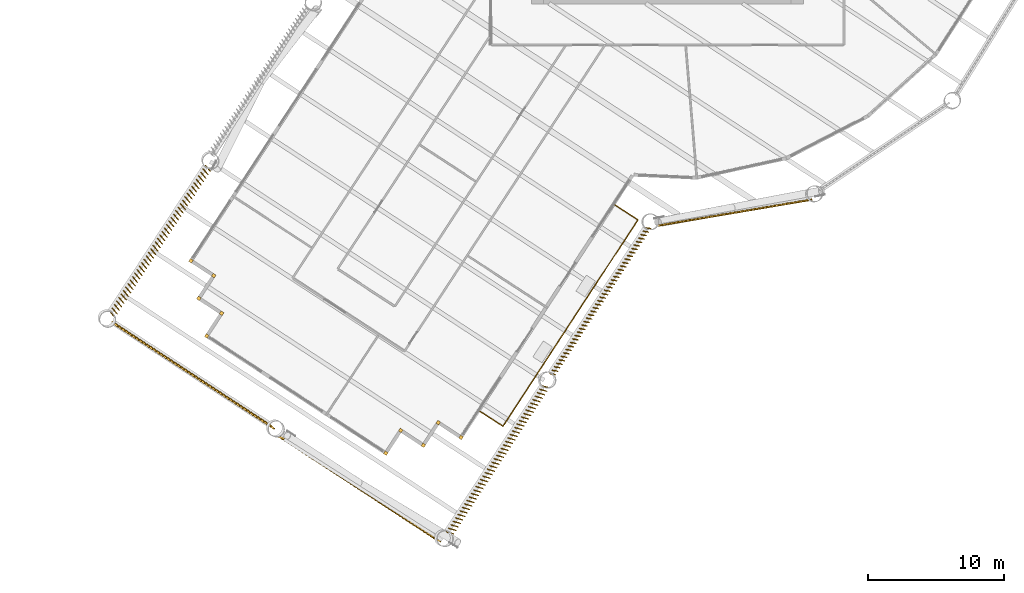
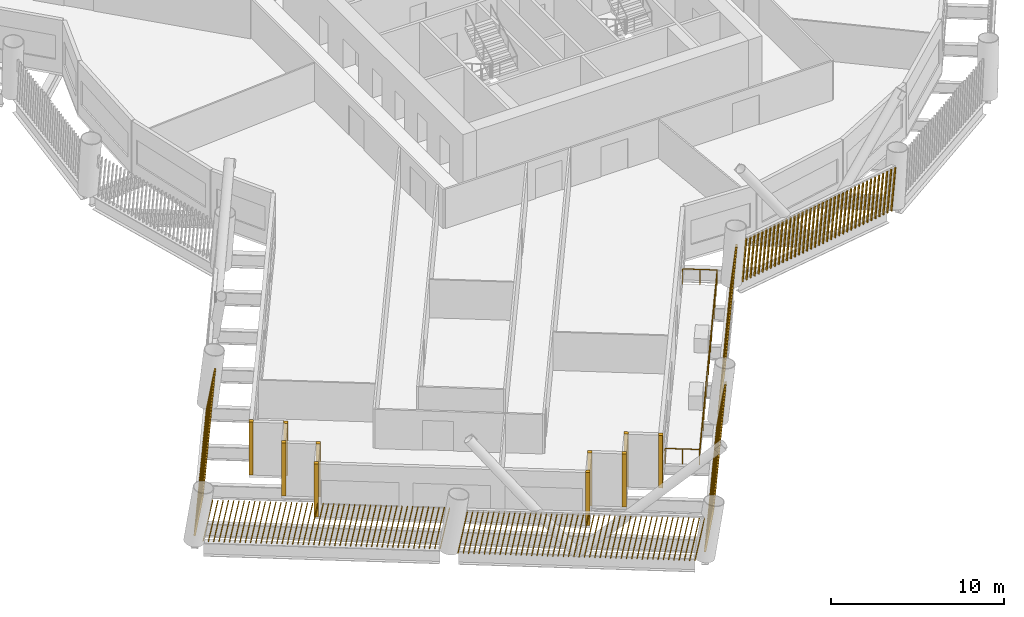
# One storey, part 18 of 22: 16 shading devices, 1 railing.
"""IFC4 building model written with IfcOpenShell, lengths in metres."""

import ifcopenshell
import ifcopenshell.guid

model = None  # the IFC model being written
_history = None  # IfcOwnerHistory: only IFC2X3 demands one
_inside = {}  # id of a spatial element -> (the spatial element, [elements in it])
_under = {}  # id of a project, library or spatial element -> (it, [spatial elements below it])
_declared = {}  # id of a project -> (the project, [libraries it declares])
_typed = {}  # id of a type object -> (the type object, [elements of that type])
_made_of = {}  # id of a material, layer set ... -> (it, [elements and type objects made of it])


def new_model(schema):
    """Start an empty IFC model of exactly this schema.

    Asked for "IFC4X3", IfcOpenShell would pick the latest addendum, in which some entities
    have other attributes; the version numbers below select the first issue.
    IFC2X3 requires an IfcOwnerHistory on every rooted entity: one is made here for all.
    """
    global model, _history
    if schema == "IFC4X3":
        model = ifcopenshell.file(schema_version=(4, 3, 0, 0))
    else:
        model = ifcopenshell.file(schema=schema)
    _inside.clear()
    _under.clear()
    _declared.clear()
    _typed.clear()
    _made_of.clear()
    _history = None
    if model.schema == "IFC2X3":
        org = make("IfcOrganization", Name="unknown")
        user = make(
            "IfcPersonAndOrganization",
            ThePerson=make("IfcPerson", FamilyName="unknown"),
            TheOrganization=org,
        )
        app = make(
            "IfcApplication",
            ApplicationDeveloper=org,
            Version="unknown",
            ApplicationFullName="unknown",
            ApplicationIdentifier="unknown",
        )
        _history = make(
            "IfcOwnerHistory",
            OwningUser=user,
            OwningApplication=app,
            ChangeAction="ADDED",
            CreationDate=0,
        )
    return model


def make(cls, **values):
    """One entity of the class cls with the attributes given. An attribute that is None is left unset."""
    return model.create_entity(
        cls, **{name: value for name, value in values.items() if value is not None}
    )


def rooted(cls, **values):
    """An entity with a GlobalId (a new one), such as an element, a storey or a relation."""
    return make(cls, GlobalId=ifcopenshell.guid.new(), OwnerHistory=_history, **values)


def si_unit(unit_type, name, prefix=None):
    """IfcSIUnit, for example si_unit("LENGTHUNIT", "METRE", prefix="MILLI")."""
    return make("IfcSIUnit", UnitType=unit_type, Prefix=prefix, Name=name)


def assignment(units):
    """IfcUnitAssignment: the units of a project."""
    return None if units is None else make("IfcUnitAssignment", Units=units)


def point(xyz):
    """IfcCartesianPoint."""
    return None if xyz is None else make("IfcCartesianPoint", Coordinates=xyz)


def direction(xyz):
    """IfcDirection."""
    return None if xyz is None else make("IfcDirection", DirectionRatios=xyz)


def frame(location, z_axis=None, x_axis=None):
    """IfcAxis2Placement3D, a coordinate frame: its origin and axes. An axis left out is left unset."""
    return make(
        "IfcAxis2Placement3D",
        Location=point(location),
        Axis=direction(z_axis),
        RefDirection=direction(x_axis),
    )


def frame_2d(location, x_axis=None):
    """IfcAxis2Placement2D, a coordinate frame in the plane: its origin and x axis."""
    return make(
        "IfcAxis2Placement2D", Location=point(location), RefDirection=direction(x_axis)
    )


def origin():
    """The frame at (0, 0, 0) with its axes left unset."""
    return frame((0.0, 0.0, 0.0))


def origin_2d():
    """The frame at (0, 0) in the plane with its x axis left unset."""
    return frame_2d((0.0, 0.0))


def place(relative_to, where):
    """IfcLocalPlacement: puts the frame where relative to a parent placement (None: the world)."""
    return make(
        "IfcLocalPlacement", PlacementRelTo=relative_to, RelativePlacement=where
    )


def context(
    kind, dimensions, precision=None, world=None, true_north=None, identifier=None
):
    """IfcGeometricRepresentationContext, for example the 3D "Model" context."""
    return make(
        "IfcGeometricRepresentationContext",
        ContextIdentifier=identifier,
        ContextType=kind,
        CoordinateSpaceDimension=dimensions,
        Precision=precision,
        WorldCoordinateSystem=world,
        TrueNorth=true_north,
    )


def subcontext(parent, identifier, kind, view, scale=None):
    """IfcGeometricRepresentationSubContext, for example "Body" below "Model"."""
    return make(
        "IfcGeometricRepresentationSubContext",
        ContextIdentifier=identifier,
        ContextType=kind,
        ParentContext=parent,
        TargetScale=scale,
        TargetView=view,
    )


def project(units=None, contexts=None):
    """IfcProject with its units and contexts."""
    return rooted(
        "IfcProject",
        Name="project",
        RepresentationContexts=contexts,
        UnitsInContext=assignment(units),
    )


def spatial(cls, under=None, at=None, **own):
    """A site, building, storey or space (cls), placed at a placement, below another one or the project."""
    s = rooted(cls, ObjectPlacement=at, **own)
    if under is not None:
        _under.setdefault(under.id(), (under, []))[1].append(s)
    return s


def profile(cls, at=None, kind="AREA", **sizes):
    """A parametric profile (cls). Its sizes go by their IFC names, for example OverallWidth=200.0."""
    return make(cls, ProfileType=kind, Position=at, **sizes)


def rectangle(**sizes):
    """IfcRectangleProfileDef."""
    return profile("IfcRectangleProfileDef", **sizes)


def circle(**sizes):
    """IfcCircleProfileDef."""
    return profile("IfcCircleProfileDef", **sizes)


def composite_profile(profiles, kind="AREA"):
    """IfcCompositeProfileDef: several profiles as one."""
    return make("IfcCompositeProfileDef", ProfileType=kind, Profiles=profiles)


def extrude(swept, where, along, depth):
    """IfcExtrudedAreaSolid: the profile swept, set in the frame where, extruded along a direction by depth."""
    return make(
        "IfcExtrudedAreaSolid",
        SweptArea=swept,
        Position=where,
        ExtrudedDirection=direction(along),
        Depth=depth,
    )


def shape(context_of_items, identifier, shape_type, items):
    """IfcShapeRepresentation: the items that make up one representation, for example the "Body"."""
    return make(
        "IfcShapeRepresentation",
        ContextOfItems=context_of_items,
        RepresentationIdentifier=identifier,
        RepresentationType=shape_type,
        Items=items,
    )


def material(Name=None, Category=None):
    """IfcMaterial."""
    return make("IfcMaterial", Name=Name, Category=Category)


def made_of(thing, what):
    """Note that an element or type object is made of a material, layer set ...; save() writes the relation."""
    if what is not None:
        _made_of.setdefault(what.id(), (what, []))[1].append(thing)
    return thing


def type_object(cls, material=None, **own):
    """A type object (cls), such as IfcWallType, which elements share."""
    return made_of(rooted(cls, **own), material)


def element(
    cls,
    number,
    at=None,
    inside=None,
    cuts=None,
    type_object=None,
    material=None,
    context=None,
    identifier="Body",
    shape_type=None,
    held_by="IfcProductDefinitionShape",
    body=None,
    shapes=None,
    **own,
):
    """One element of the class cls, such as IfcWall. Its Tag is "e" and its number.

    at: its placement. inside: the storey or other place that contains it. cuts: it is an
    opening in that element (IfcRelVoidsElement). A single representation is given by context,
    identifier, shape_type and body (its items); several are given by shapes. held_by: the class
    of the entity that holds the representations. save() writes the other relations.
    """
    e = rooted(cls, Tag="e%d" % number, ObjectPlacement=at, **own)
    if body is not None:
        shapes = [shape(context, identifier, shape_type, body)]
    if shapes is not None:
        e.Representation = make(held_by, Representations=shapes)
    if inside is not None:
        _inside.setdefault(inside.id(), (inside, []))[1].append(e)
    if cuts is not None:
        rooted(
            "IfcRelVoidsElement", RelatingBuildingElement=cuts, RelatedOpeningElement=e
        )
    if type_object is not None:
        _typed.setdefault(type_object.id(), (type_object, []))[1].append(e)
    return made_of(e, material)


def aggregate(whole, parts):
    """IfcRelAggregates: a whole, such as a stair, and the parts it consists of."""
    return rooted("IfcRelAggregates", RelatingObject=whole, RelatedObjects=parts)


def save(model, path):
    """Write the relations noted so far, then the file.

    IfcRelAggregates (storeys below a building ...), IfcRelContainedInSpatialStructure (elements
    in a storey), IfcRelDefinesByType, IfcRelAssociatesMaterial and IfcRelDeclares: one each for
    every whole, place, type object, material and project.
    """
    for whole, parts in _under.values():
        aggregate(whole, parts)
    for where, things in _inside.values():
        rooted(
            "IfcRelContainedInSpatialStructure",
            RelatedElements=things,
            RelatingStructure=where,
        )
    for kind, things in _typed.values():
        rooted("IfcRelDefinesByType", RelatedObjects=things, RelatingType=kind)
    for what, things in _made_of.values():
        rooted("IfcRelAssociatesMaterial", RelatedObjects=things, RelatingMaterial=what)
    for by, libraries in _declared.values():
        rooted("IfcRelDeclares", RelatingContext=by, RelatedDefinitions=libraries)
    model.write(path)


model = new_model("IFC4")

# Units and contexts
model_context = context("Model", 3, precision=1e-05, world=origin(), true_north=direction((0.0, 1.0)))
body_context = subcontext(model_context, "Body", "Model", "MODEL_VIEW")
ifc_project = project(units=[si_unit("LENGTHUNIT", "METRE"), si_unit("AREAUNIT", "SQUARE_METRE"), si_unit("VOLUMEUNIT", "CUBIC_METRE"), si_unit("PLANEANGLEUNIT", "RADIAN"), si_unit("MASSUNIT", "GRAM", prefix="KILO")], contexts=[model_context])

# Site, building, storey
site_placement = place(None, origin())
site = spatial("IfcSite", under=ifc_project, at=site_placement, CompositionType="ELEMENT")
building_placement = place(site_placement, origin())
building = spatial("IfcBuilding", under=site, at=building_placement, Name="Tarsis Ring Headquarters", CompositionType="ELEMENT")
storey_placement = place(building_placement, frame((0.0, 0.0, 63.39990234375)))
storey = spatial("IfcBuildingStorey", under=building, at=storey_placement, Name="L13", CompositionType="ELEMENT", Elevation=63.39990234375)

# Railing
ifc_material_1 = material(Name="Stainless steel guard", Category="steel")
railing_type = type_object("IfcRailingType", Name="Balcony balustrade with mesh infill 1100", PredefinedType="BALUSTRADE", material=ifc_material_1)
railing_placement = place(storey_placement, frame((-13.77783203125, -42.969970703125, 0.0)))
element("IfcRailing", 1, at=railing_placement, inside=storey, type_object=railing_type, Name="Balcony balustrade L13-16", PredefinedType="BALUSTRADE", context=body_context, shape_type="SweptSolid", body=[
    extrude(circle(Radius=0.030029296875, at=origin_2d()), frame((0.0, 0.0, 1.070068359375), z_axis=(0.836752361739, -0.547581487201, 0.0), x_axis=(0.547581487201, 0.836752361739, 0.0)), (0.0, 0.0, 1.0), 2.0),
    extrude(circle(Radius=0.030029296875, at=origin_2d()), frame((1.673583984375, -1.09521484375, 1.070068359375), z_axis=(0.547559531286, 0.83676672956, 0.0), x_axis=(-0.83676672956, 0.547559531286, 0.0)), (0.0, 0.0, 1.0), 18.1513671875),
    extrude(circle(Radius=0.030029296875, at=origin_2d()), frame((11.612548828125, 14.09326171875, 1.070068359375), z_axis=(-0.836808289872, 0.547496014599, 0.0), x_axis=(-0.547496014599, -0.836808289872, 0.0)), (0.0, 0.0, 1.0), 2.0),
    extrude(circle(Radius=0.02490234375, at=origin_2d()), origin(), (0.0, 0.0, 1.0), 1.0400390625),
    extrude(circle(Radius=0.02490234375, at=origin_2d()), frame((0.8369140625, -0.547607421875, 0.0)), (0.0, 0.0, 1.0), 1.0400390625),
    extrude(circle(Radius=0.02490234375, at=origin_2d()), frame((1.673583984375, -1.09521484375, 0.0)), (0.0, 0.0, 1.0), 1.0400390625),
    extrude(circle(Radius=0.02490234375, at=origin_2d()), frame((2.294677734375, -0.14599609375, 0.0)), (0.0, 0.0, 1.0), 1.0400390625),
    extrude(circle(Radius=0.02490234375, at=origin_2d()), frame((2.916015625, 0.80322265625, 0.0)), (0.0, 0.0, 1.0), 1.0400390625),
    extrude(circle(Radius=0.02490234375, at=origin_2d()), frame((3.537109375, 1.752685546875, 0.0)), (0.0, 0.0, 1.0), 1.0400390625),
    extrude(circle(Radius=0.02490234375, at=origin_2d()), frame((4.158203125, 2.701904296875, 0.0)), (0.0, 0.0, 1.0), 1.0400390625),
    extrude(circle(Radius=0.02490234375, at=origin_2d()), frame((4.779541015625, 3.651123046875, 0.0)), (0.0, 0.0, 1.0), 1.0400390625),
    extrude(circle(Radius=0.02490234375, at=origin_2d()), frame((5.400634765625, 4.6005859375, 0.0)), (0.0, 0.0, 1.0), 1.0400390625),
    extrude(circle(Radius=0.02490234375, at=origin_2d()), frame((6.02197265625, 5.5498046875, 0.0)), (0.0, 0.0, 1.0), 1.0400390625),
    extrude(circle(Radius=0.02490234375, at=origin_2d()), frame((6.64306640625, 6.4990234375, 0.0)), (0.0, 0.0, 1.0), 1.0400390625),
    extrude(circle(Radius=0.02490234375, at=origin_2d()), frame((7.26416015625, 7.4482421875, 0.0)), (0.0, 0.0, 1.0), 1.0400390625),
    extrude(circle(Radius=0.02490234375, at=origin_2d()), frame((7.885498046875, 8.3974609375, 0.0)), (0.0, 0.0, 1.0), 1.0400390625),
    extrude(circle(Radius=0.02490234375, at=origin_2d()), frame((8.506591796875, 9.346923828125, 0.0)), (0.0, 0.0, 1.0), 1.0400390625),
    extrude(circle(Radius=0.02490234375, at=origin_2d()), frame((9.1279296875, 10.296142578125, 0.0)), (0.0, 0.0, 1.0), 1.0400390625),
    extrude(circle(Radius=0.02490234375, at=origin_2d()), frame((9.7490234375, 11.245361328125, 0.0)), (0.0, 0.0, 1.0), 1.0400390625),
    extrude(circle(Radius=0.02490234375, at=origin_2d()), frame((10.3701171875, 12.19482421875, 0.0)), (0.0, 0.0, 1.0), 1.0400390625),
    extrude(circle(Radius=0.02490234375, at=origin_2d()), frame((10.991455078125, 13.14404296875, 0.0)), (0.0, 0.0, 1.0), 1.0400390625),
    extrude(circle(Radius=0.02490234375, at=origin_2d()), frame((11.612548828125, 14.09326171875, 0.0)), (0.0, 0.0, 1.0), 1.0400390625),
    extrude(circle(Radius=0.02490234375, at=origin_2d()), frame((10.77587890625, 14.640625, 0.0)), (0.0, 0.0, 1.0), 1.0400390625),
    extrude(circle(Radius=0.02490234375, at=origin_2d()), frame((9.93896484375, 15.188232421875, 0.0)), (0.0, 0.0, 1.0), 1.0400390625),
])

# Shading devices
ifc_material_2 = material(Name="Terracotta baguette", Category="masonry")
shading_device_type_1 = type_object("IfcShadingDeviceType", Name="Terracotta baguette screen", PredefinedType="USERDEFINED", material=ifc_material_2)
shading_device_1_placement = place(storey_placement, frame((-33.956787109375, -24.86279296875, 0.0), z_axis=(0.0, 0.0, 1.0), x_axis=(-0.547570390554, -0.836758250076, 0.0)))
element("IfcShadingDevice", 2, at=shading_device_1_placement, inside=storey, type_object=shading_device_type_1, Name="Baguette screen L13-02", ObjectType="Terracotta baguette screen", PredefinedType="USERDEFINED", context=body_context, shape_type="SweptSolid", body=[
    extrude(composite_profile([rectangle(XDim=0.06005859375, YDim=0.1201171875, at=frame_2d((0.030029296875, 0.0))), rectangle(XDim=0.06005859375, YDim=0.1201171875, at=frame_2d((0.335693359375, 0.0))), rectangle(XDim=0.06005859375, YDim=0.1201171875, at=frame_2d((0.6416015625, 0.0))), rectangle(XDim=0.06005859375, YDim=0.1201171875, at=frame_2d((0.947265625, 0.0))), rectangle(XDim=0.06005859375, YDim=0.1201171875, at=frame_2d((1.253173828125, 0.0))), rectangle(XDim=0.06005859375, YDim=0.1201171875, at=frame_2d((1.558837890625, 0.0))), rectangle(XDim=0.06005859375, YDim=0.1201171875, at=frame_2d((1.864501953125, 0.0))), rectangle(XDim=0.06005859375, YDim=0.1201171875, at=frame_2d((2.17041015625, 0.0))), rectangle(XDim=0.06005859375, YDim=0.1201171875, at=frame_2d((2.47607421875, 0.0))), rectangle(XDim=0.06005859375, YDim=0.1201171875, at=frame_2d((2.781982421875, 0.0))), rectangle(XDim=0.06005859375, YDim=0.1201171875, at=frame_2d((3.087646484375, 0.0))), rectangle(XDim=0.06005859375, YDim=0.1201171875, at=frame_2d((3.393310546875, 0.0))), rectangle(XDim=0.06005859375, YDim=0.1201171875, at=frame_2d((3.69921875, 0.0))), rectangle(XDim=0.06005859375, YDim=0.1201171875, at=frame_2d((4.0048828125, 0.0))), rectangle(XDim=0.06005859375, YDim=0.1201171875, at=frame_2d((4.310791015625, 0.0))), rectangle(XDim=0.06005859375, YDim=0.1201171875, at=frame_2d((4.616455078125, 0.0))), rectangle(XDim=0.06005859375, YDim=0.1201171875, at=frame_2d((4.922119140625, 0.0))), rectangle(XDim=0.06005859375, YDim=0.1201171875, at=frame_2d((5.22802734375, 0.0))), rectangle(XDim=0.06005859375, YDim=0.1201171875, at=frame_2d((5.53369140625, 0.0))), rectangle(XDim=0.06005859375, YDim=0.1201171875, at=frame_2d((5.839599609375, 0.0))), rectangle(XDim=0.06005859375, YDim=0.1201171875, at=frame_2d((6.145263671875, 0.0))), rectangle(XDim=0.06005859375, YDim=0.1201171875, at=frame_2d((6.451171875, 0.0))), rectangle(XDim=0.06005859375, YDim=0.1201171875, at=frame_2d((6.7568359375, 0.0))), rectangle(XDim=0.06005859375, YDim=0.1201171875, at=frame_2d((7.0625, 0.0))), rectangle(XDim=0.06005859375, YDim=0.1201171875, at=frame_2d((7.368408203125, 0.0))), rectangle(XDim=0.06005859375, YDim=0.1201171875, at=frame_2d((7.674072265625, 0.0))), rectangle(XDim=0.06005859375, YDim=0.1201171875, at=frame_2d((7.97998046875, 0.0))), rectangle(XDim=0.06005859375, YDim=0.1201171875, at=frame_2d((8.28564453125, 0.0))), rectangle(XDim=0.06005859375, YDim=0.1201171875, at=frame_2d((8.59130859375, 0.0))), rectangle(XDim=0.06005859375, YDim=0.1201171875, at=frame_2d((8.897216796875, 0.0))), rectangle(XDim=0.06005859375, YDim=0.1201171875, at=frame_2d((9.202880859375, 0.0))), rectangle(XDim=0.06005859375, YDim=0.1201171875, at=frame_2d((9.5087890625, 0.0))), rectangle(XDim=0.06005859375, YDim=0.1201171875, at=frame_2d((9.814453125, 0.0))), rectangle(XDim=0.06005859375, YDim=0.1201171875, at=frame_2d((10.1201171875, 0.0))), rectangle(XDim=0.06005859375, YDim=0.1201171875, at=frame_2d((10.426025390625, 0.0))), rectangle(XDim=0.06005859375, YDim=0.1201171875, at=frame_2d((10.731689453125, 0.0))), rectangle(XDim=0.06005859375, YDim=0.1201171875, at=frame_2d((11.03759765625, 0.0))), rectangle(XDim=0.06005859375, YDim=0.1201171875, at=frame_2d((11.34326171875, 0.0))), rectangle(XDim=0.06005859375, YDim=0.1201171875, at=frame_2d((11.64892578125, 0.0))), rectangle(XDim=0.06005859375, YDim=0.1201171875, at=frame_2d((11.954833984375, 0.0))), rectangle(XDim=0.06005859375, YDim=0.1201171875, at=frame_2d((12.260498046875, 0.0))), rectangle(XDim=0.06005859375, YDim=0.1201171875, at=frame_2d((12.56640625, 0.0))), rectangle(XDim=0.06005859375, YDim=0.1201171875, at=frame_2d((12.8720703125, 0.0)))]), origin(), (0.050899132974, 0.160555082928, 0.985713621499), 2.995361328125),
])
shading_device_2_placement = place(storey_placement, frame((-40.876953125, -36.35107421875, 0.0), z_axis=(0.0, 0.0, 1.0), x_axis=(0.836759606539, -0.547572712476, 0.0)))
element("IfcShadingDevice", 3, at=shading_device_2_placement, inside=storey, type_object=shading_device_type_1, Name="Baguette screen L13-03", ObjectType="Terracotta baguette screen", PredefinedType="USERDEFINED", context=body_context, shape_type="SweptSolid", body=[
    extrude(composite_profile([rectangle(XDim=0.06005859375, YDim=0.1201171875, at=frame_2d((0.030029296875, 0.0))), rectangle(XDim=0.06005859375, YDim=0.1201171875, at=frame_2d((0.33544921875, 0.0))), rectangle(XDim=0.06005859375, YDim=0.1201171875, at=frame_2d((0.640625, 0.0))), rectangle(XDim=0.06005859375, YDim=0.1201171875, at=frame_2d((0.946044921875, 0.0))), rectangle(XDim=0.06005859375, YDim=0.1201171875, at=frame_2d((1.25146484375, 0.0))), rectangle(XDim=0.06005859375, YDim=0.1201171875, at=frame_2d((1.556640625, 0.0))), rectangle(XDim=0.06005859375, YDim=0.1201171875, at=frame_2d((1.862060546875, 0.0))), rectangle(XDim=0.06005859375, YDim=0.1201171875, at=frame_2d((2.16748046875, 0.0))), rectangle(XDim=0.06005859375, YDim=0.1201171875, at=frame_2d((2.47265625, 0.0))), rectangle(XDim=0.06005859375, YDim=0.1201171875, at=frame_2d((2.778076171875, 0.0))), rectangle(XDim=0.06005859375, YDim=0.1201171875, at=frame_2d((3.08349609375, 0.0))), rectangle(XDim=0.06005859375, YDim=0.1201171875, at=frame_2d((3.388671875, 0.0))), rectangle(XDim=0.06005859375, YDim=0.1201171875, at=frame_2d((3.694091796875, 0.0))), rectangle(XDim=0.06005859375, YDim=0.1201171875, at=frame_2d((3.99951171875, 0.0))), rectangle(XDim=0.06005859375, YDim=0.1201171875, at=frame_2d((4.3046875, 0.0))), rectangle(XDim=0.06005859375, YDim=0.1201171875, at=frame_2d((4.610107421875, 0.0))), rectangle(XDim=0.06005859375, YDim=0.1201171875, at=frame_2d((4.91552734375, 0.0))), rectangle(XDim=0.06005859375, YDim=0.1201171875, at=frame_2d((5.220703125, 0.0))), rectangle(XDim=0.06005859375, YDim=0.1201171875, at=frame_2d((5.526123046875, 0.0))), rectangle(XDim=0.06005859375, YDim=0.1201171875, at=frame_2d((5.83154296875, 0.0))), rectangle(XDim=0.06005859375, YDim=0.1201171875, at=frame_2d((6.13671875, 0.0))), rectangle(XDim=0.06005859375, YDim=0.1201171875, at=frame_2d((6.442138671875, 0.0))), rectangle(XDim=0.06005859375, YDim=0.1201171875, at=frame_2d((6.74755859375, 0.0))), rectangle(XDim=0.06005859375, YDim=0.1201171875, at=frame_2d((7.052734375, 0.0))), rectangle(XDim=0.06005859375, YDim=0.1201171875, at=frame_2d((7.358154296875, 0.0))), rectangle(XDim=0.06005859375, YDim=0.1201171875, at=frame_2d((7.66357421875, 0.0))), rectangle(XDim=0.06005859375, YDim=0.1201171875, at=frame_2d((7.96875, 0.0))), rectangle(XDim=0.06005859375, YDim=0.1201171875, at=frame_2d((8.274169921875, 0.0))), rectangle(XDim=0.06005859375, YDim=0.1201171875, at=frame_2d((8.57958984375, 0.0))), rectangle(XDim=0.06005859375, YDim=0.1201171875, at=frame_2d((8.884765625, 0.0))), rectangle(XDim=0.06005859375, YDim=0.1201171875, at=frame_2d((9.190185546875, 0.0))), rectangle(XDim=0.06005859375, YDim=0.1201171875, at=frame_2d((9.49560546875, 0.0))), rectangle(XDim=0.06005859375, YDim=0.1201171875, at=frame_2d((9.80078125, 0.0))), rectangle(XDim=0.06005859375, YDim=0.1201171875, at=frame_2d((10.106201171875, 0.0))), rectangle(XDim=0.06005859375, YDim=0.1201171875, at=frame_2d((10.41162109375, 0.0))), rectangle(XDim=0.06005859375, YDim=0.1201171875, at=frame_2d((10.716796875, 0.0))), rectangle(XDim=0.06005859375, YDim=0.1201171875, at=frame_2d((11.022216796875, 0.0))), rectangle(XDim=0.06005859375, YDim=0.1201171875, at=frame_2d((11.32763671875, 0.0))), rectangle(XDim=0.06005859375, YDim=0.1201171875, at=frame_2d((11.6328125, 0.0))), rectangle(XDim=0.06005859375, YDim=0.1201171875, at=frame_2d((11.938232421875, 0.0))), rectangle(XDim=0.06005859375, YDim=0.1201171875, at=frame_2d((12.24365234375, 0.0))), rectangle(XDim=0.06005859375, YDim=0.1201171875, at=frame_2d((12.548828125, 0.0))), rectangle(XDim=0.06005859375, YDim=0.1201171875, at=frame_2d((12.854248046875, 0.0))), rectangle(XDim=0.06005859375, YDim=0.1201171875, at=frame_2d((13.15966796875, 0.0))), rectangle(XDim=0.06005859375, YDim=0.1201171875, at=frame_2d((13.46484375, 0.0))), rectangle(XDim=0.06005859375, YDim=0.1201171875, at=frame_2d((13.770263671875, 0.0)))]), origin(), (0.184134450305, -0.02482264052, 0.982587574076), 3.0048828125),
])
shading_device_3_placement = place(storey_placement, frame((-28.6982421875, -44.768798828125, 0.0), z_axis=(0.0, 0.0, 1.0), x_axis=(0.836762494471, -0.54756302521, 0.0)))
element("IfcShadingDevice", 4, at=shading_device_3_placement, inside=storey, type_object=shading_device_type_1, Name="Baguette screen L13-04", ObjectType="Terracotta baguette screen", PredefinedType="USERDEFINED", context=body_context, shape_type="SweptSolid", body=[
    extrude(composite_profile([rectangle(XDim=0.06005859375, YDim=0.1201171875, at=frame_2d((0.030029296875, 0.0))), rectangle(XDim=0.06005859375, YDim=0.1201171875, at=frame_2d((0.33544921875, 0.0))), rectangle(XDim=0.06005859375, YDim=0.1201171875, at=frame_2d((0.640625, 0.0))), rectangle(XDim=0.06005859375, YDim=0.1201171875, at=frame_2d((0.946044921875, 0.0))), rectangle(XDim=0.06005859375, YDim=0.1201171875, at=frame_2d((1.25146484375, 0.0))), rectangle(XDim=0.06005859375, YDim=0.1201171875, at=frame_2d((1.556640625, 0.0))), rectangle(XDim=0.06005859375, YDim=0.1201171875, at=frame_2d((1.862060546875, 0.0))), rectangle(XDim=0.06005859375, YDim=0.1201171875, at=frame_2d((2.16748046875, 0.0))), rectangle(XDim=0.06005859375, YDim=0.1201171875, at=frame_2d((2.47265625, 0.0))), rectangle(XDim=0.06005859375, YDim=0.1201171875, at=frame_2d((2.778076171875, 0.0))), rectangle(XDim=0.06005859375, YDim=0.1201171875, at=frame_2d((3.08349609375, 0.0))), rectangle(XDim=0.06005859375, YDim=0.1201171875, at=frame_2d((3.388671875, 0.0))), rectangle(XDim=0.06005859375, YDim=0.1201171875, at=frame_2d((3.694091796875, 0.0))), rectangle(XDim=0.06005859375, YDim=0.1201171875, at=frame_2d((3.99951171875, 0.0))), rectangle(XDim=0.06005859375, YDim=0.1201171875, at=frame_2d((4.3046875, 0.0))), rectangle(XDim=0.06005859375, YDim=0.1201171875, at=frame_2d((4.610107421875, 0.0))), rectangle(XDim=0.06005859375, YDim=0.1201171875, at=frame_2d((4.91552734375, 0.0))), rectangle(XDim=0.06005859375, YDim=0.1201171875, at=frame_2d((5.220703125, 0.0))), rectangle(XDim=0.06005859375, YDim=0.1201171875, at=frame_2d((5.526123046875, 0.0))), rectangle(XDim=0.06005859375, YDim=0.1201171875, at=frame_2d((5.83154296875, 0.0))), rectangle(XDim=0.06005859375, YDim=0.1201171875, at=frame_2d((6.13671875, 0.0))), rectangle(XDim=0.06005859375, YDim=0.1201171875, at=frame_2d((6.442138671875, 0.0))), rectangle(XDim=0.06005859375, YDim=0.1201171875, at=frame_2d((6.74755859375, 0.0))), rectangle(XDim=0.06005859375, YDim=0.1201171875, at=frame_2d((7.052734375, 0.0))), rectangle(XDim=0.06005859375, YDim=0.1201171875, at=frame_2d((7.358154296875, 0.0))), rectangle(XDim=0.06005859375, YDim=0.1201171875, at=frame_2d((7.66357421875, 0.0))), rectangle(XDim=0.06005859375, YDim=0.1201171875, at=frame_2d((7.96875, 0.0))), rectangle(XDim=0.06005859375, YDim=0.1201171875, at=frame_2d((8.274169921875, 0.0))), rectangle(XDim=0.06005859375, YDim=0.1201171875, at=frame_2d((8.57958984375, 0.0))), rectangle(XDim=0.06005859375, YDim=0.1201171875, at=frame_2d((8.884765625, 0.0))), rectangle(XDim=0.06005859375, YDim=0.1201171875, at=frame_2d((9.190185546875, 0.0))), rectangle(XDim=0.06005859375, YDim=0.1201171875, at=frame_2d((9.49560546875, 0.0))), rectangle(XDim=0.06005859375, YDim=0.1201171875, at=frame_2d((9.80078125, 0.0))), rectangle(XDim=0.06005859375, YDim=0.1201171875, at=frame_2d((10.106201171875, 0.0))), rectangle(XDim=0.06005859375, YDim=0.1201171875, at=frame_2d((10.41162109375, 0.0))), rectangle(XDim=0.06005859375, YDim=0.1201171875, at=frame_2d((10.716796875, 0.0))), rectangle(XDim=0.06005859375, YDim=0.1201171875, at=frame_2d((11.022216796875, 0.0))), rectangle(XDim=0.06005859375, YDim=0.1201171875, at=frame_2d((11.32763671875, 0.0))), rectangle(XDim=0.06005859375, YDim=0.1201171875, at=frame_2d((11.6328125, 0.0))), rectangle(XDim=0.06005859375, YDim=0.1201171875, at=frame_2d((11.938232421875, 0.0))), rectangle(XDim=0.06005859375, YDim=0.1201171875, at=frame_2d((12.24365234375, 0.0))), rectangle(XDim=0.06005859375, YDim=0.1201171875, at=frame_2d((12.548828125, 0.0))), rectangle(XDim=0.06005859375, YDim=0.1201171875, at=frame_2d((12.854248046875, 0.0))), rectangle(XDim=0.06005859375, YDim=0.1201171875, at=frame_2d((13.15966796875, 0.0))), rectangle(XDim=0.06005859375, YDim=0.1201171875, at=frame_2d((13.46484375, 0.0))), rectangle(XDim=0.06005859375, YDim=0.1201171875, at=frame_2d((13.770263671875, 0.0)))]), origin(), (0.185126078969, 0.026751679104, 0.982350590447), 3.005615234375),
])
shading_device_4_placement = place(storey_placement, frame((-16.25341796875, -51.86669921875, 0.0), z_axis=(0.0, 0.0, 1.0), x_axis=(0.547561829432, 0.836774083676, 0.0)))
element("IfcShadingDevice", 5, at=shading_device_4_placement, inside=storey, type_object=shading_device_type_1, Name="Baguette screen L13-05", ObjectType="Terracotta baguette screen", PredefinedType="USERDEFINED", context=body_context, shape_type="SweptSolid", body=[
    extrude(composite_profile([rectangle(XDim=0.06005859375, YDim=0.1201171875, at=frame_2d((0.030029296875, 0.0))), rectangle(XDim=0.06005859375, YDim=0.1201171875, at=frame_2d((0.335693359375, 0.0))), rectangle(XDim=0.06005859375, YDim=0.1201171875, at=frame_2d((0.6416015625, 0.0))), rectangle(XDim=0.06005859375, YDim=0.1201171875, at=frame_2d((0.947265625, 0.0))), rectangle(XDim=0.06005859375, YDim=0.1201171875, at=frame_2d((1.253173828125, 0.0))), rectangle(XDim=0.06005859375, YDim=0.1201171875, at=frame_2d((1.558837890625, 0.0))), rectangle(XDim=0.06005859375, YDim=0.1201171875, at=frame_2d((1.864501953125, 0.0))), rectangle(XDim=0.06005859375, YDim=0.1201171875, at=frame_2d((2.17041015625, 0.0))), rectangle(XDim=0.06005859375, YDim=0.1201171875, at=frame_2d((2.47607421875, 0.0))), rectangle(XDim=0.06005859375, YDim=0.1201171875, at=frame_2d((2.781982421875, 0.0))), rectangle(XDim=0.06005859375, YDim=0.1201171875, at=frame_2d((3.087646484375, 0.0))), rectangle(XDim=0.06005859375, YDim=0.1201171875, at=frame_2d((3.393310546875, 0.0))), rectangle(XDim=0.06005859375, YDim=0.1201171875, at=frame_2d((3.69921875, 0.0))), rectangle(XDim=0.06005859375, YDim=0.1201171875, at=frame_2d((4.0048828125, 0.0))), rectangle(XDim=0.06005859375, YDim=0.1201171875, at=frame_2d((4.310791015625, 0.0))), rectangle(XDim=0.06005859375, YDim=0.1201171875, at=frame_2d((4.616455078125, 0.0))), rectangle(XDim=0.06005859375, YDim=0.1201171875, at=frame_2d((4.922119140625, 0.0))), rectangle(XDim=0.06005859375, YDim=0.1201171875, at=frame_2d((5.22802734375, 0.0))), rectangle(XDim=0.06005859375, YDim=0.1201171875, at=frame_2d((5.53369140625, 0.0))), rectangle(XDim=0.06005859375, YDim=0.1201171875, at=frame_2d((5.839599609375, 0.0))), rectangle(XDim=0.06005859375, YDim=0.1201171875, at=frame_2d((6.145263671875, 0.0))), rectangle(XDim=0.06005859375, YDim=0.1201171875, at=frame_2d((6.451171875, 0.0))), rectangle(XDim=0.06005859375, YDim=0.1201171875, at=frame_2d((6.7568359375, 0.0))), rectangle(XDim=0.06005859375, YDim=0.1201171875, at=frame_2d((7.0625, 0.0))), rectangle(XDim=0.06005859375, YDim=0.1201171875, at=frame_2d((7.368408203125, 0.0))), rectangle(XDim=0.06005859375, YDim=0.1201171875, at=frame_2d((7.674072265625, 0.0))), rectangle(XDim=0.06005859375, YDim=0.1201171875, at=frame_2d((7.97998046875, 0.0))), rectangle(XDim=0.06005859375, YDim=0.1201171875, at=frame_2d((8.28564453125, 0.0))), rectangle(XDim=0.06005859375, YDim=0.1201171875, at=frame_2d((8.59130859375, 0.0))), rectangle(XDim=0.06005859375, YDim=0.1201171875, at=frame_2d((8.897216796875, 0.0))), rectangle(XDim=0.06005859375, YDim=0.1201171875, at=frame_2d((9.202880859375, 0.0))), rectangle(XDim=0.06005859375, YDim=0.1201171875, at=frame_2d((9.5087890625, 0.0))), rectangle(XDim=0.06005859375, YDim=0.1201171875, at=frame_2d((9.814453125, 0.0))), rectangle(XDim=0.06005859375, YDim=0.1201171875, at=frame_2d((10.1201171875, 0.0))), rectangle(XDim=0.06005859375, YDim=0.1201171875, at=frame_2d((10.426025390625, 0.0))), rectangle(XDim=0.06005859375, YDim=0.1201171875, at=frame_2d((10.731689453125, 0.0))), rectangle(XDim=0.06005859375, YDim=0.1201171875, at=frame_2d((11.03759765625, 0.0))), rectangle(XDim=0.06005859375, YDim=0.1201171875, at=frame_2d((11.34326171875, 0.0))), rectangle(XDim=0.06005859375, YDim=0.1201171875, at=frame_2d((11.64892578125, 0.0))), rectangle(XDim=0.06005859375, YDim=0.1201171875, at=frame_2d((11.954833984375, 0.0))), rectangle(XDim=0.06005859375, YDim=0.1201171875, at=frame_2d((12.260498046875, 0.0))), rectangle(XDim=0.06005859375, YDim=0.1201171875, at=frame_2d((12.56640625, 0.0))), rectangle(XDim=0.06005859375, YDim=0.1201171875, at=frame_2d((12.8720703125, 0.0)))]), origin(), (0.052578406172, -0.160014786869, 0.985713335198), 2.995361328125),
])
shading_device_5_placement = place(storey_placement, frame((-8.64111328125, -40.23388671875, 0.0), z_axis=(0.0, 0.0, 1.0), x_axis=(0.547561829432, 0.836774083676, 0.0)))
element("IfcShadingDevice", 6, at=shading_device_5_placement, inside=storey, type_object=shading_device_type_1, Name="Baguette screen L13-06", ObjectType="Terracotta baguette screen", PredefinedType="USERDEFINED", context=body_context, shape_type="SweptSolid", body=[
    extrude(composite_profile([rectangle(XDim=0.06005859375, YDim=0.1201171875, at=frame_2d((0.030029296875, 0.0))), rectangle(XDim=0.06005859375, YDim=0.1201171875, at=frame_2d((0.335693359375, 0.0))), rectangle(XDim=0.06005859375, YDim=0.1201171875, at=frame_2d((0.6416015625, 0.0))), rectangle(XDim=0.06005859375, YDim=0.1201171875, at=frame_2d((0.947265625, 0.0))), rectangle(XDim=0.06005859375, YDim=0.1201171875, at=frame_2d((1.253173828125, 0.0))), rectangle(XDim=0.06005859375, YDim=0.1201171875, at=frame_2d((1.558837890625, 0.0))), rectangle(XDim=0.06005859375, YDim=0.1201171875, at=frame_2d((1.864501953125, 0.0))), rectangle(XDim=0.06005859375, YDim=0.1201171875, at=frame_2d((2.17041015625, 0.0))), rectangle(XDim=0.06005859375, YDim=0.1201171875, at=frame_2d((2.47607421875, 0.0))), rectangle(XDim=0.06005859375, YDim=0.1201171875, at=frame_2d((2.781982421875, 0.0))), rectangle(XDim=0.06005859375, YDim=0.1201171875, at=frame_2d((3.087646484375, 0.0))), rectangle(XDim=0.06005859375, YDim=0.1201171875, at=frame_2d((3.393310546875, 0.0))), rectangle(XDim=0.06005859375, YDim=0.1201171875, at=frame_2d((3.69921875, 0.0))), rectangle(XDim=0.06005859375, YDim=0.1201171875, at=frame_2d((4.0048828125, 0.0))), rectangle(XDim=0.06005859375, YDim=0.1201171875, at=frame_2d((4.310791015625, 0.0))), rectangle(XDim=0.06005859375, YDim=0.1201171875, at=frame_2d((4.616455078125, 0.0))), rectangle(XDim=0.06005859375, YDim=0.1201171875, at=frame_2d((4.922119140625, 0.0))), rectangle(XDim=0.06005859375, YDim=0.1201171875, at=frame_2d((5.22802734375, 0.0))), rectangle(XDim=0.06005859375, YDim=0.1201171875, at=frame_2d((5.53369140625, 0.0))), rectangle(XDim=0.06005859375, YDim=0.1201171875, at=frame_2d((5.839599609375, 0.0))), rectangle(XDim=0.06005859375, YDim=0.1201171875, at=frame_2d((6.145263671875, 0.0))), rectangle(XDim=0.06005859375, YDim=0.1201171875, at=frame_2d((6.451171875, 0.0))), rectangle(XDim=0.06005859375, YDim=0.1201171875, at=frame_2d((6.7568359375, 0.0))), rectangle(XDim=0.06005859375, YDim=0.1201171875, at=frame_2d((7.0625, 0.0))), rectangle(XDim=0.06005859375, YDim=0.1201171875, at=frame_2d((7.368408203125, 0.0))), rectangle(XDim=0.06005859375, YDim=0.1201171875, at=frame_2d((7.674072265625, 0.0))), rectangle(XDim=0.06005859375, YDim=0.1201171875, at=frame_2d((7.97998046875, 0.0))), rectangle(XDim=0.06005859375, YDim=0.1201171875, at=frame_2d((8.28564453125, 0.0))), rectangle(XDim=0.06005859375, YDim=0.1201171875, at=frame_2d((8.59130859375, 0.0))), rectangle(XDim=0.06005859375, YDim=0.1201171875, at=frame_2d((8.897216796875, 0.0))), rectangle(XDim=0.06005859375, YDim=0.1201171875, at=frame_2d((9.202880859375, 0.0))), rectangle(XDim=0.06005859375, YDim=0.1201171875, at=frame_2d((9.5087890625, 0.0))), rectangle(XDim=0.06005859375, YDim=0.1201171875, at=frame_2d((9.814453125, 0.0))), rectangle(XDim=0.06005859375, YDim=0.1201171875, at=frame_2d((10.1201171875, 0.0))), rectangle(XDim=0.06005859375, YDim=0.1201171875, at=frame_2d((10.426025390625, 0.0))), rectangle(XDim=0.06005859375, YDim=0.1201171875, at=frame_2d((10.731689453125, 0.0))), rectangle(XDim=0.06005859375, YDim=0.1201171875, at=frame_2d((11.03759765625, 0.0))), rectangle(XDim=0.06005859375, YDim=0.1201171875, at=frame_2d((11.34326171875, 0.0))), rectangle(XDim=0.06005859375, YDim=0.1201171875, at=frame_2d((11.64892578125, 0.0))), rectangle(XDim=0.06005859375, YDim=0.1201171875, at=frame_2d((11.954833984375, 0.0))), rectangle(XDim=0.06005859375, YDim=0.1201171875, at=frame_2d((12.260498046875, 0.0))), rectangle(XDim=0.06005859375, YDim=0.1201171875, at=frame_2d((12.56640625, 0.0))), rectangle(XDim=0.06005859375, YDim=0.1201171875, at=frame_2d((12.8720703125, 0.0)))]), origin(), (0.052673430195, -0.112156970833, 0.992293466493), 2.9755859375),
])
shading_device_6_placement = place(storey_placement, frame((-0.7470703125, -29.3056640625, 0.0), z_axis=(0.0, 0.0, 1.0), x_axis=(0.986001085187, 0.166793271839, 0.0)))
element("IfcShadingDevice", 7, at=shading_device_6_placement, inside=storey, type_object=shading_device_type_1, Name="Baguette screen L13-07", ObjectType="Terracotta baguette screen", PredefinedType="USERDEFINED", context=body_context, shape_type="SweptSolid", body=[
    extrude(composite_profile([rectangle(XDim=0.06005859375, YDim=0.1201171875, at=frame_2d((0.030029296875, 0.0))), rectangle(XDim=0.06005859375, YDim=0.1201171875, at=frame_2d((0.33251953125, 0.0))), rectangle(XDim=0.06005859375, YDim=0.1201171875, at=frame_2d((0.634765625, 0.0))), rectangle(XDim=0.06005859375, YDim=0.1201171875, at=frame_2d((0.937255859375, 0.0))), rectangle(XDim=0.06005859375, YDim=0.1201171875, at=frame_2d((1.239501953125, 0.0))), rectangle(XDim=0.06005859375, YDim=0.1201171875, at=frame_2d((1.5419921875, 0.0))), rectangle(XDim=0.06005859375, YDim=0.1201171875, at=frame_2d((1.844482421875, 0.0))), rectangle(XDim=0.06005859375, YDim=0.1201171875, at=frame_2d((2.146728515625, 0.0))), rectangle(XDim=0.06005859375, YDim=0.1201171875, at=frame_2d((2.44921875, 0.0))), rectangle(XDim=0.06005859375, YDim=0.1201171875, at=frame_2d((2.751708984375, 0.0))), rectangle(XDim=0.06005859375, YDim=0.1201171875, at=frame_2d((3.053955078125, 0.0))), rectangle(XDim=0.06005859375, YDim=0.1201171875, at=frame_2d((3.3564453125, 0.0))), rectangle(XDim=0.06005859375, YDim=0.1201171875, at=frame_2d((3.65869140625, 0.0))), rectangle(XDim=0.06005859375, YDim=0.1201171875, at=frame_2d((3.961181640625, 0.0))), rectangle(XDim=0.06005859375, YDim=0.1201171875, at=frame_2d((4.263671875, 0.0))), rectangle(XDim=0.06005859375, YDim=0.1201171875, at=frame_2d((4.56591796875, 0.0))), rectangle(XDim=0.06005859375, YDim=0.1201171875, at=frame_2d((4.868408203125, 0.0))), rectangle(XDim=0.06005859375, YDim=0.1201171875, at=frame_2d((5.1708984375, 0.0))), rectangle(XDim=0.06005859375, YDim=0.1201171875, at=frame_2d((5.47314453125, 0.0))), rectangle(XDim=0.06005859375, YDim=0.1201171875, at=frame_2d((5.775634765625, 0.0))), rectangle(XDim=0.06005859375, YDim=0.1201171875, at=frame_2d((6.077880859375, 0.0))), rectangle(XDim=0.06005859375, YDim=0.1201171875, at=frame_2d((6.38037109375, 0.0))), rectangle(XDim=0.06005859375, YDim=0.1201171875, at=frame_2d((6.682861328125, 0.0))), rectangle(XDim=0.06005859375, YDim=0.1201171875, at=frame_2d((6.985107421875, 0.0))), rectangle(XDim=0.06005859375, YDim=0.1201171875, at=frame_2d((7.28759765625, 0.0))), rectangle(XDim=0.06005859375, YDim=0.1201171875, at=frame_2d((7.590087890625, 0.0))), rectangle(XDim=0.06005859375, YDim=0.1201171875, at=frame_2d((7.892333984375, 0.0))), rectangle(XDim=0.06005859375, YDim=0.1201171875, at=frame_2d((8.19482421875, 0.0))), rectangle(XDim=0.06005859375, YDim=0.1201171875, at=frame_2d((8.4970703125, 0.0))), rectangle(XDim=0.06005859375, YDim=0.1201171875, at=frame_2d((8.799560546875, 0.0))), rectangle(XDim=0.06005859375, YDim=0.1201171875, at=frame_2d((9.10205078125, 0.0))), rectangle(XDim=0.06005859375, YDim=0.1201171875, at=frame_2d((9.404296875, 0.0))), rectangle(XDim=0.06005859375, YDim=0.1201171875, at=frame_2d((9.706787109375, 0.0))), rectangle(XDim=0.06005859375, YDim=0.1201171875, at=frame_2d((10.00927734375, 0.0))), rectangle(XDim=0.06005859375, YDim=0.1201171875, at=frame_2d((10.3115234375, 0.0))), rectangle(XDim=0.06005859375, YDim=0.1201171875, at=frame_2d((10.614013671875, 0.0))), rectangle(XDim=0.06005859375, YDim=0.1201171875, at=frame_2d((10.916259765625, 0.0))), rectangle(XDim=0.06005859375, YDim=0.1201171875, at=frame_2d((11.21875, 0.0)))]), origin(), (0.101511209161, 0.000531406016, 0.994834253543), 2.968017578125),
])
shading_device_type_2 = type_object("IfcShadingDeviceType", Name="Terracotta corner baguette 250x250", PredefinedType="USERDEFINED", material=ifc_material_2)
for number, where, z_axis, x_axis, name in (
    (8, (-35.05615234375, -31.88427734375, 0.0), (0.0, 0.0, 1.0), (-0.547563208888, -0.836764323016, 0.0), "Corner baguette L13-07"),
    (9, (-33.382568359375, -32.9794921875, 0.0), (0.0, 0.0, 1.0), (0.836764475924, -0.54756297522, 0.0), "Corner baguette L13-08"),
    (10, (-34.4775390625, -34.65283203125, 0.0), (0.0, 0.0, 1.0), (-0.547563559391, -0.836764093653, 0.0), "Corner baguette L13-09"),
    (11, (-32.80419921875, -35.748046875, 0.0), (0.0, 0.0, 1.0), (0.836764246561, -0.547563325723, 0.0), "Corner baguette L13-10"),
    (12, (-33.899169921875, -37.421630859375, 0.0), (0.0, 0.0, 1.0), (-0.547563325723, -0.836764246561, 0.0), "Corner baguette L13-11"),
    (13, (-20.72021484375, -46.045654296875, 0.0), (0.0, 0.0, 1.0), (0.836764332573, -0.547563194284, 0.0), "Corner baguette L13-12"),
    (14, (-19.625, -44.3720703125, 0.0), (0.0, 0.0, 1.0), (0.547563559391, 0.836764093653, 0.0), "Corner baguette L13-13"),
    (15, (-17.95166015625, -45.46728515625, 0.0), (0.0, 0.0, 1.0), (0.836764475924, -0.54756297522, 0.0), "Corner baguette L13-14"),
    (16, (-16.8564453125, -43.793701171875, 0.0), (0.0, 0.0, 1.0), (0.54756297522, 0.836764475924, 0.0), "Corner baguette L13-15"),
    (17, (-15.182861328125, -44.888916015625, 0.0), (0.0, 0.0, 1.0), (0.836764093653, -0.547563559391, 0.0), "Corner baguette L13-16"),
):
    element("IfcShadingDevice", number, at=place(storey_placement, frame(where, z_axis=z_axis, x_axis=x_axis)), inside=storey, type_object=shading_device_type_2, Name=name, ObjectType="Terracotta corner baguette", PredefinedType="USERDEFINED", context=body_context, shape_type="SweptSolid", body=[
        extrude(rectangle(XDim=0.25, YDim=0.25, at=origin_2d()), origin(), (0.0, 0.0, 1.0), 3.739990234375),
    ])

save(model, "model.ifc")
